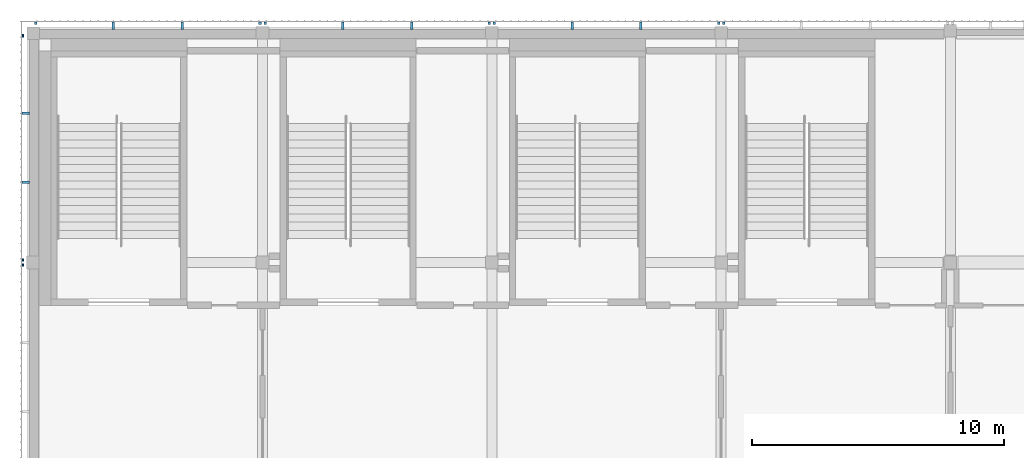
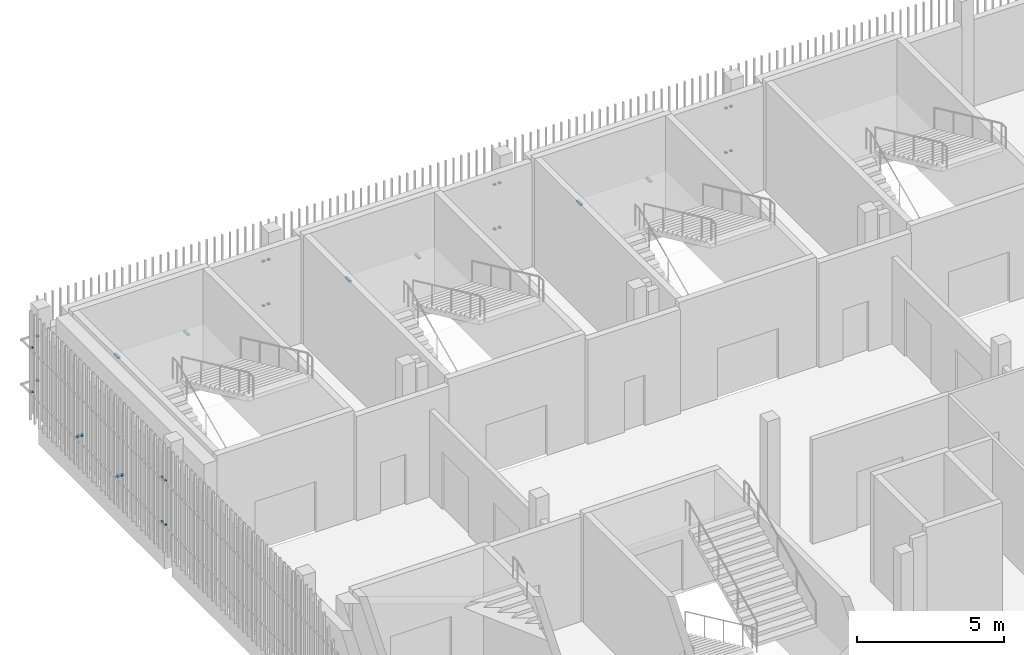
# One storey, part 67 of 91: 28 discrete accessories.
"""IFC4 building model written with IfcOpenShell, lengths in metres."""

from ifc_helpers import new_model, si_unit, direction, frame, origin, origin_2d, place, context, subcontext, project, spatial, rectangle, extrude, material, type_object, element, save


model = new_model("IFC4")

# Units and contexts
model_context = context("Model", 3, precision=1e-05, world=origin(), true_north=direction((0.0, 1.0)))
body_context = subcontext(model_context, "Body", "Model", "MODEL_VIEW")
ifc_project = project(units=[si_unit("LENGTHUNIT", "METRE"), si_unit("AREAUNIT", "SQUARE_METRE"), si_unit("VOLUMEUNIT", "CUBIC_METRE"), si_unit("PLANEANGLEUNIT", "RADIAN"), si_unit("MASSUNIT", "GRAM", prefix="KILO")], contexts=[model_context])

# Site, building, storey
site_placement = place(None, origin())
site = spatial("IfcSite", under=ifc_project, at=site_placement, CompositionType="ELEMENT")
building_placement = place(site_placement, origin())
building = spatial("IfcBuilding", under=site, at=building_placement, Name="Shirokan Park Arena", CompositionType="ELEMENT")
storey_placement = place(building_placement, frame((0.0, 0.0, 24.570068359375)))
storey = spatial("IfcBuildingStorey", under=building, at=storey_placement, Name="L05", CompositionType="ELEMENT", Elevation=24.570068359375)

# Discrete accessories
ifc_material = material(Name="Steel S355", Category="steel")
discrete_accessory_type = type_object("IfcDiscreteAccessoryType", Name="Veil bracket 100x60", PredefinedType="BRACKET", material=ifc_material)
for number, where, z_axis, x_axis, name in (
    (1, (27.39990234375, 109.597412109375, 1.06982421875), (0.0, 0.0, 1.0), (-1.0, 0.0, 0.0), "Veil bracket north bay 13 L05 2"),
    (2, (27.39990234375, 109.597412109375, 2.919921875), (0.0, 0.0, 1.0), (-1.0, 0.0, 0.0), "Veil bracket north bay 13 L05 4"),
    (3, (27.199951171875, 109.597412109375, 1.06982421875), (0.0, 0.0, 1.0), (-1.0, 0.0, 0.0), "Veil bracket north bay 14 L05 1"),
    (4, (18.300048828125, 109.597412109375, 1.06982421875), (0.0, 0.0, 1.0), (-1.0, 0.0, 0.0), "Veil bracket north bay 14 L05 2"),
    (5, (27.199951171875, 109.597412109375, 2.919921875), (0.0, 0.0, 1.0), (-1.0, 0.0, 0.0), "Veil bracket north bay 14 L05 3"),
    (6, (18.300048828125, 109.597412109375, 2.919921875), (0.0, 0.0, 1.0), (-1.0, 0.0, 0.0), "Veil bracket north bay 14 L05 4"),
):
    element("IfcDiscreteAccessory", number, at=place(storey_placement, frame(where, z_axis=z_axis, x_axis=x_axis)), inside=storey, type_object=discrete_accessory_type, Name=name, PredefinedType="BRACKET", context=body_context, shape_type="SweptSolid", body=[
        extrude(rectangle(XDim=0.10009765625, YDim=0.094970703125, at=origin_2d()), origin(), (0.0, 0.0, 1.0), 0.06005859375),
    ])
for number, where, z_axis, x_axis, name in (
    (7, (24.114990234375, 109.49755859375, 1.06982421875), (0.0, 0.0, 1.0), (-1.0, 0.0, 0.0), "Veil bracket north bay 14 L05 wall 1"),
    (8, (21.385009765625, 109.49755859375, 1.06982421875), (0.0, 0.0, 1.0), (-1.0, 0.0, 0.0), "Veil bracket north bay 14 L05 wall 2"),
):
    element("IfcDiscreteAccessory", number, at=place(storey_placement, frame(where, z_axis=z_axis, x_axis=x_axis)), inside=storey, type_object=discrete_accessory_type, Name=name, PredefinedType="BRACKET", context=body_context, shape_type="SweptSolid", body=[
        extrude(rectangle(XDim=0.10009765625, YDim=0.294921875, at=origin_2d()), origin(), (0.0, 0.0, 1.0), 0.06005859375),
    ])
for number, where, z_axis, x_axis, name in (
    (9, (18.10009765625, 109.597412109375, 1.06982421875), (0.0, 0.0, 1.0), (-1.0, 0.0, 0.0), "Veil bracket north bay 15 L05 1"),
    (10, (9.199951171875, 109.597412109375, 1.06982421875), (0.0, 0.0, 1.0), (-1.0, 0.0, 0.0), "Veil bracket north bay 15 L05 2"),
    (11, (18.10009765625, 109.597412109375, 2.919921875), (0.0, 0.0, 1.0), (-1.0, 0.0, 0.0), "Veil bracket north bay 15 L05 3"),
    (12, (9.199951171875, 109.597412109375, 2.919921875), (0.0, 0.0, 1.0), (-1.0, 0.0, 0.0), "Veil bracket north bay 15 L05 4"),
):
    element("IfcDiscreteAccessory", number, at=place(storey_placement, frame(where, z_axis=z_axis, x_axis=x_axis)), inside=storey, type_object=discrete_accessory_type, Name=name, PredefinedType="BRACKET", context=body_context, shape_type="SweptSolid", body=[
        extrude(rectangle(XDim=0.10009765625, YDim=0.094970703125, at=origin_2d()), origin(), (0.0, 0.0, 1.0), 0.06005859375),
    ])
for number, where, z_axis, x_axis, name in (
    (13, (15.014892578125, 109.49755859375, 1.06982421875), (0.0, 0.0, 1.0), (-1.0, 0.0, 0.0), "Veil bracket north bay 15 L05 wall 1"),
    (14, (12.284912109375, 109.49755859375, 1.06982421875), (0.0, 0.0, 1.0), (-1.0, 0.0, 0.0), "Veil bracket north bay 15 L05 wall 2"),
):
    element("IfcDiscreteAccessory", number, at=place(storey_placement, frame(where, z_axis=z_axis, x_axis=x_axis)), inside=storey, type_object=discrete_accessory_type, Name=name, PredefinedType="BRACKET", context=body_context, shape_type="SweptSolid", body=[
        extrude(rectangle(XDim=0.10009765625, YDim=0.294921875, at=origin_2d()), origin(), (0.0, 0.0, 1.0), 0.06005859375),
    ])
for number, where, z_axis, x_axis, name in (
    (15, (9.0, 109.597412109375, 1.06982421875), (0.0, 0.0, 1.0), (-1.0, 0.0, 0.0), "Veil bracket north bay 16 L05 1"),
    (16, (0.10009765625, 109.597412109375, 1.06982421875), (0.0, 0.0, 1.0), (-1.0, 0.0, 0.0), "Veil bracket north bay 16 L05 2"),
    (17, (9.0, 109.597412109375, 2.919921875), (0.0, 0.0, 1.0), (-1.0, 0.0, 0.0), "Veil bracket north bay 16 L05 3"),
    (18, (0.10009765625, 109.597412109375, 2.919921875), (0.0, 0.0, 1.0), (-1.0, 0.0, 0.0), "Veil bracket north bay 16 L05 4"),
):
    element("IfcDiscreteAccessory", number, at=place(storey_placement, frame(where, z_axis=z_axis, x_axis=x_axis)), inside=storey, type_object=discrete_accessory_type, Name=name, PredefinedType="BRACKET", context=body_context, shape_type="SweptSolid", body=[
        extrude(rectangle(XDim=0.10009765625, YDim=0.094970703125, at=origin_2d()), origin(), (0.0, 0.0, 1.0), 0.06005859375),
    ])
for number, where, z_axis, x_axis, name in (
    (19, (5.9150390625, 109.49755859375, 1.06982421875), (0.0, 0.0, 1.0), (-1.0, 0.0, 0.0), "Veil bracket north bay 16 L05 wall 1"),
    (20, (3.18505859375, 109.49755859375, 1.06982421875), (0.0, 0.0, 1.0), (-1.0, 0.0, 0.0), "Veil bracket north bay 16 L05 wall 2"),
):
    element("IfcDiscreteAccessory", number, at=place(storey_placement, frame(where, z_axis=z_axis, x_axis=x_axis)), inside=storey, type_object=discrete_accessory_type, Name=name, PredefinedType="BRACKET", context=body_context, shape_type="SweptSolid", body=[
        extrude(rectangle(XDim=0.10009765625, YDim=0.294921875, at=origin_2d()), origin(), (0.0, 0.0, 1.0), 0.06005859375),
    ])
for number, where, z_axis, x_axis, name in (
    (21, (-0.409912109375, 109.10009765625, 1.06982421875), (0.0, 0.0, 1.0), (0.0, -1.0, 0.0), "Veil bracket west bay 1 L05 1"),
    (22, (-0.409912109375, 100.199951171875, 1.06982421875), (0.0, 0.0, 1.0), (0.0, -1.0, 0.0), "Veil bracket west bay 1 L05 2"),
    (23, (-0.409912109375, 109.10009765625, 2.919921875), (0.0, 0.0, 1.0), (0.0, -1.0, 0.0), "Veil bracket west bay 1 L05 3"),
    (24, (-0.409912109375, 100.199951171875, 2.919921875), (0.0, 0.0, 1.0), (0.0, -1.0, 0.0), "Veil bracket west bay 1 L05 4"),
):
    element("IfcDiscreteAccessory", number, at=place(storey_placement, frame(where, z_axis=z_axis, x_axis=x_axis)), inside=storey, type_object=discrete_accessory_type, Name=name, PredefinedType="BRACKET", context=body_context, shape_type="SweptSolid", body=[
        extrude(rectangle(XDim=0.10009765625, YDim=0.070068359375, at=origin_2d()), origin(), (0.0, 0.0, 1.0), 0.06005859375),
    ])
for number, where, z_axis, x_axis, name in (
    (25, (-0.297607421875, 106.014892578125, 1.06982421875), (0.0, 0.0, 1.0), (0.0, -1.0, 0.0), "Veil bracket west bay 1 L05 wall 1"),
    (26, (-0.297607421875, 103.284912109375, 1.06982421875), (0.0, 0.0, 1.0), (0.0, -1.0, 0.0), "Veil bracket west bay 1 L05 wall 2"),
):
    element("IfcDiscreteAccessory", number, at=place(storey_placement, frame(where, z_axis=z_axis, x_axis=x_axis)), inside=storey, type_object=discrete_accessory_type, Name=name, PredefinedType="BRACKET", context=body_context, shape_type="SweptSolid", body=[
        extrude(rectangle(XDim=0.10009765625, YDim=0.294921875, at=origin_2d()), origin(), (0.0, 0.0, 1.0), 0.06005859375),
    ])
for number, where, z_axis, x_axis, name in (
    (27, (-0.409912109375, 100.0, 1.06982421875), (0.0, 0.0, 1.0), (0.0, -1.0, 0.0), "Veil bracket west bay 2 L05 1"),
    (28, (-0.409912109375, 100.0, 2.919921875), (0.0, 0.0, 1.0), (0.0, -1.0, 0.0), "Veil bracket west bay 2 L05 3"),
):
    element("IfcDiscreteAccessory", number, at=place(storey_placement, frame(where, z_axis=z_axis, x_axis=x_axis)), inside=storey, type_object=discrete_accessory_type, Name=name, PredefinedType="BRACKET", context=body_context, shape_type="SweptSolid", body=[
        extrude(rectangle(XDim=0.10009765625, YDim=0.070068359375, at=origin_2d()), origin(), (0.0, 0.0, 1.0), 0.06005859375),
    ])

save(model, "model.ifc")
